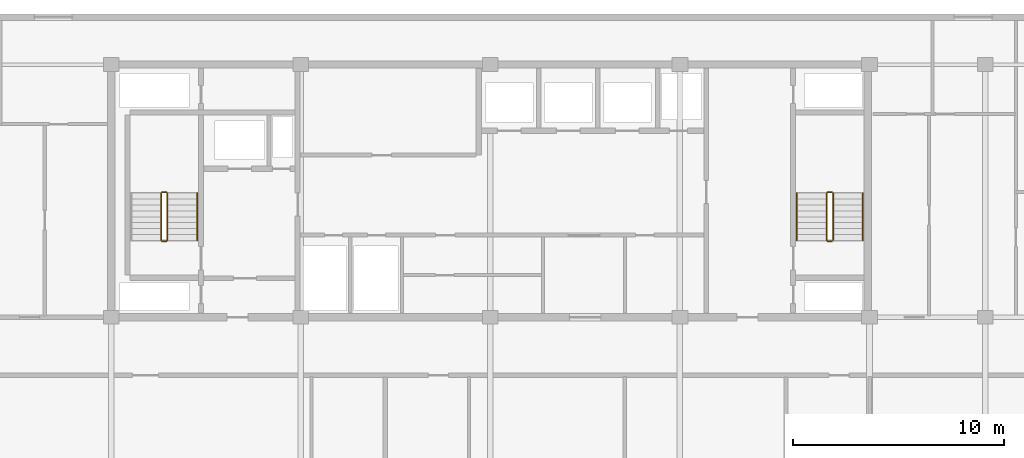
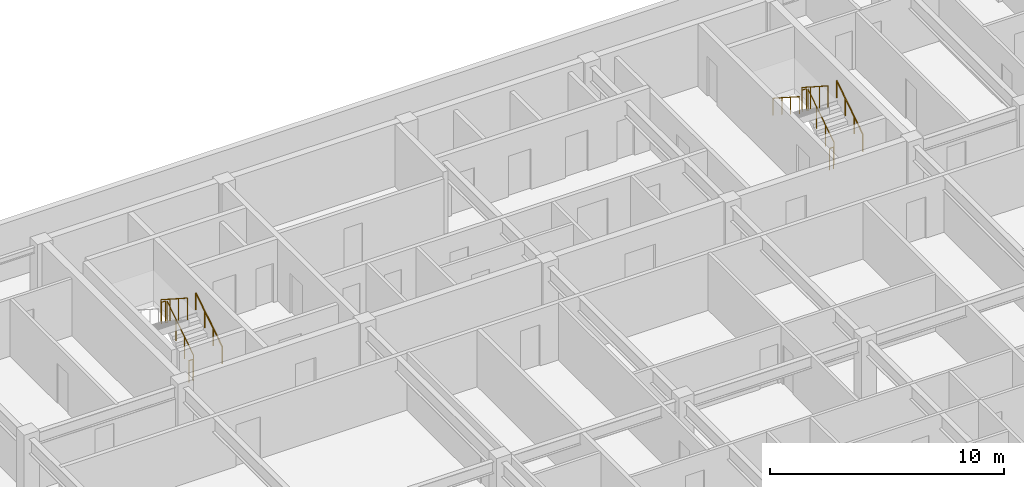
# One storey, part 27 of 30: 11 railings.
"""IFC4 building model written with IfcOpenShell, lengths in metres."""

from ifc_helpers import new_model, si_unit, direction, frame, origin, origin_2d, place, context, subcontext, project, spatial, circle, extrude, material, type_object, element, save


model = new_model("IFC4")

# Units and contexts
model_context = context("Model", 3, precision=1e-05, world=origin(), true_north=direction((0.0, 1.0)))
body_context = subcontext(model_context, "Body", "Model", "MODEL_VIEW")
ifc_project = project(units=[si_unit("LENGTHUNIT", "METRE"), si_unit("AREAUNIT", "SQUARE_METRE"), si_unit("VOLUMEUNIT", "CUBIC_METRE"), si_unit("PLANEANGLEUNIT", "RADIAN"), si_unit("MASSUNIT", "GRAM", prefix="KILO")], contexts=[model_context])

# Site, building, storey
site_placement = place(None, origin())
site = spatial("IfcSite", under=ifc_project, at=site_placement, CompositionType="ELEMENT")
building_placement = place(site_placement, origin())
building = spatial("IfcBuilding", under=site, at=building_placement, Name="Korimba Cascade Residences", CompositionType="ELEMENT")
storey_placement = place(building_placement, frame((0.0, 0.0, 201.10009765625)))
storey = spatial("IfcBuildingStorey", under=building, at=storey_placement, Name="L58", CompositionType="ELEMENT", Elevation=201.10009765625)

# Railings
ifc_material_1 = material(Name="Painted Steel Stairwell Guardrail", Category="steel")
railing_type_1 = type_object("IfcRailingType", Name="RLG-ST-GD1150", PredefinedType="GUARDRAIL", material=ifc_material_1)
railing_1_placement = place(storey_placement, frame((84.77001953125, 22.050048828125, 0.180419921875)))
element("IfcRailing", 1, at=railing_1_placement, inside=storey, type_object=railing_type_1, Name="L58 ST-E1 stair guard 1", PredefinedType="GUARDRAIL", context=body_context, shape_type="SweptSolid", body=[
    extrude(circle(Radius=0.02392578125, at=origin_2d()), frame((0.0, 0.0, 1.1259765625), z_axis=(0.0, 0.840394893359, 0.541974559565), x_axis=(-1.0, 0.0, 0.0)), (0.0, 0.0, 1.0), 2.665283203125),
    extrude(circle(Radius=0.02099609375, at=origin_2d()), origin(), (0.0, 0.0, 1.0), 1.101806640625),
    extrude(circle(Radius=0.02099609375, at=origin_2d()), frame((0.0, 0.74658203125, 0.4814453125)), (0.0, 0.0, 1.0), 1.101806640625),
    extrude(circle(Radius=0.02099609375, at=origin_2d()), frame((0.0, 1.493408203125, 0.963134765625)), (0.0, 0.0, 1.0), 1.101806640625),
    extrude(circle(Radius=0.02099609375, at=origin_2d()), frame((0.0, 2.239990234375, 1.444580078125)), (0.0, 0.0, 1.0), 1.101806640625),
])
railing_2_placement = place(storey_placement, frame((84.719970703125, 24.340087890625, 1.625)))
element("IfcRailing", 2, at=railing_2_placement, inside=storey, type_object=railing_type_1, Name="L58 ST-E1 stair guard 2", PredefinedType="GUARDRAIL", context=body_context, shape_type="SweptSolid", body=[
    extrude(circle(Radius=0.02392578125, at=origin_2d()), frame((0.0, 0.0, 1.1259765625), z_axis=(-1.0, 0.0, 0.0), x_axis=(0.0, -1.0, 0.0)), (0.0, 0.0, 1.0), 0.199951171875),
    extrude(circle(Radius=0.02099609375, at=origin_2d()), origin(), (0.0, 0.0, 1.0), 1.101806640625),
    extrude(circle(Radius=0.02099609375, at=origin_2d()), frame((-0.199951171875, 0.0, 0.0)), (0.0, 0.0, 1.0), 1.101806640625),
])
railing_3_placement = place(storey_placement, frame((84.469970703125, 24.2900390625, 1.805419921875)))
element("IfcRailing", 3, at=railing_3_placement, inside=storey, type_object=railing_type_1, Name="L58 ST-E1 stair guard 3", PredefinedType="GUARDRAIL", context=body_context, shape_type="SweptSolid", body=[
    extrude(circle(Radius=0.02392578125, at=origin_2d()), frame((0.0, 0.0, 1.1259765625), z_axis=(0.0, -0.840394893359, 0.541974559565), x_axis=(1.0, 0.0, 0.0)), (0.0, 0.0, 1.0), 2.665283203125),
    extrude(circle(Radius=0.02099609375, at=origin_2d()), origin(), (0.0, 0.0, 1.0), 1.101806640625),
    extrude(circle(Radius=0.02099609375, at=origin_2d()), frame((0.0, -0.74658203125, 0.4814453125)), (0.0, 0.0, 1.0), 1.101806640625),
    extrude(circle(Radius=0.02099609375, at=origin_2d()), frame((0.0, -1.493408203125, 0.963134765625)), (0.0, 0.0, 1.0), 1.101806640625),
    extrude(circle(Radius=0.02099609375, at=origin_2d()), frame((0.0, -2.239990234375, 1.444580078125)), (0.0, 0.0, 1.0), 1.101806640625),
])
railing_4_placement = place(storey_placement, frame((84.719970703125, 22.0, 0.0)))
element("IfcRailing", 4, at=railing_4_placement, inside=storey, type_object=railing_type_1, Name="L58 ST-E1 stair guard 4", PredefinedType="GUARDRAIL", context=body_context, shape_type="SweptSolid", body=[
    extrude(circle(Radius=0.02392578125, at=origin_2d()), frame((0.0, 0.0, 1.1259765625), z_axis=(-1.0, 0.0, 0.0), x_axis=(0.0, -1.0, 0.0)), (0.0, 0.0, 1.0), 0.199951171875),
    extrude(circle(Radius=0.02099609375, at=origin_2d()), origin(), (0.0, 0.0, 1.0), 1.101806640625),
    extrude(circle(Radius=0.02099609375, at=origin_2d()), frame((-0.199951171875, 0.0, 0.0)), (0.0, 0.0, 1.0), 1.101806640625),
])
railing_5_placement = place(storey_placement, frame((116.3701171875, 22.050048828125, 0.180419921875)))
element("IfcRailing", 5, at=railing_5_placement, inside=storey, type_object=railing_type_1, Name="L58 ST-E2 stair guard 1", PredefinedType="GUARDRAIL", context=body_context, shape_type="SweptSolid", body=[
    extrude(circle(Radius=0.02392578125, at=origin_2d()), frame((0.0, 0.0, 1.1259765625), z_axis=(0.0, 0.840394893359, 0.541974559565), x_axis=(-1.0, 0.0, 0.0)), (0.0, 0.0, 1.0), 2.665283203125),
    extrude(circle(Radius=0.02099609375, at=origin_2d()), origin(), (0.0, 0.0, 1.0), 1.101806640625),
    extrude(circle(Radius=0.02099609375, at=origin_2d()), frame((0.0, 0.74658203125, 0.4814453125)), (0.0, 0.0, 1.0), 1.101806640625),
    extrude(circle(Radius=0.02099609375, at=origin_2d()), frame((0.0, 1.493408203125, 0.963134765625)), (0.0, 0.0, 1.0), 1.101806640625),
    extrude(circle(Radius=0.02099609375, at=origin_2d()), frame((0.0, 2.239990234375, 1.444580078125)), (0.0, 0.0, 1.0), 1.101806640625),
])
railing_6_placement = place(storey_placement, frame((116.320068359375, 24.340087890625, 1.625)))
element("IfcRailing", 6, at=railing_6_placement, inside=storey, type_object=railing_type_1, Name="L58 ST-E2 stair guard 2", PredefinedType="GUARDRAIL", context=body_context, shape_type="SweptSolid", body=[
    extrude(circle(Radius=0.02392578125, at=origin_2d()), frame((0.0, 0.0, 1.1259765625), z_axis=(-1.0, 0.0, 0.0), x_axis=(0.0, -1.0, 0.0)), (0.0, 0.0, 1.0), 0.199951171875),
    extrude(circle(Radius=0.02099609375, at=origin_2d()), origin(), (0.0, 0.0, 1.0), 1.101806640625),
    extrude(circle(Radius=0.02099609375, at=origin_2d()), frame((-0.199951171875, 0.0, 0.0)), (0.0, 0.0, 1.0), 1.101806640625),
])
railing_7_placement = place(storey_placement, frame((116.070068359375, 24.2900390625, 1.805419921875)))
element("IfcRailing", 7, at=railing_7_placement, inside=storey, type_object=railing_type_1, Name="L58 ST-E2 stair guard 3", PredefinedType="GUARDRAIL", context=body_context, shape_type="SweptSolid", body=[
    extrude(circle(Radius=0.02392578125, at=origin_2d()), frame((0.0, 0.0, 1.1259765625), z_axis=(0.0, -0.840394893359, 0.541974559565), x_axis=(1.0, 0.0, 0.0)), (0.0, 0.0, 1.0), 2.665283203125),
    extrude(circle(Radius=0.02099609375, at=origin_2d()), origin(), (0.0, 0.0, 1.0), 1.101806640625),
    extrude(circle(Radius=0.02099609375, at=origin_2d()), frame((0.0, -0.74658203125, 0.4814453125)), (0.0, 0.0, 1.0), 1.101806640625),
    extrude(circle(Radius=0.02099609375, at=origin_2d()), frame((0.0, -1.493408203125, 0.963134765625)), (0.0, 0.0, 1.0), 1.101806640625),
    extrude(circle(Radius=0.02099609375, at=origin_2d()), frame((0.0, -2.239990234375, 1.444580078125)), (0.0, 0.0, 1.0), 1.101806640625),
])
railing_8_placement = place(storey_placement, frame((116.320068359375, 22.0, 0.0)))
element("IfcRailing", 8, at=railing_8_placement, inside=storey, type_object=railing_type_1, Name="L58 ST-E2 stair guard 4", PredefinedType="GUARDRAIL", context=body_context, shape_type="SweptSolid", body=[
    extrude(circle(Radius=0.02392578125, at=origin_2d()), frame((0.0, 0.0, 1.1259765625), z_axis=(-1.0, 0.0, 0.0), x_axis=(0.0, -1.0, 0.0)), (0.0, 0.0, 1.0), 0.199951171875),
    extrude(circle(Radius=0.02099609375, at=origin_2d()), origin(), (0.0, 0.0, 1.0), 1.101806640625),
    extrude(circle(Radius=0.02099609375, at=origin_2d()), frame((-0.199951171875, 0.0, 0.0)), (0.0, 0.0, 1.0), 1.101806640625),
])
ifc_material_2 = material(Name="Brushed Stainless Steel Handrail", Category="steel")
railing_type_2 = type_object("IfcRailingType", Name="RLG-ST-HR900", PredefinedType="HANDRAIL", material=ifc_material_2)
for number, where, name in (
    (9, (86.18994140625, 22.050048828125, 0.36474609375), "L58 ST-E1 stair handrail 1"),
    (10, (117.7900390625, 22.050048828125, 0.36474609375), "L58 ST-E2 stair handrail 1"),
):
    element("IfcRailing", number, at=place(storey_placement, frame(where)), inside=storey, type_object=railing_type_2, Name=name, PredefinedType="HANDRAIL", context=body_context, shape_type="SweptSolid", body=[
        extrude(circle(Radius=0.02392578125, at=origin_2d()), frame((0.0, 0.0, 0.8759765625), z_axis=(0.0, 0.840394893359, 0.541974559565), x_axis=(-1.0, 0.0, 0.0)), (0.0, 0.0, 1.0), 2.665283203125),
        extrude(circle(Radius=0.02099609375, at=origin_2d()), origin(), (0.0, 0.0, 1.0), 0.851806640625),
        extrude(circle(Radius=0.02099609375, at=origin_2d()), frame((0.0, 0.74658203125, 0.4814453125)), (0.0, 0.0, 1.0), 0.851806640625),
        extrude(circle(Radius=0.02099609375, at=origin_2d()), frame((0.0, 1.493408203125, 0.963134765625)), (0.0, 0.0, 1.0), 0.851806640625),
        extrude(circle(Radius=0.02099609375, at=origin_2d()), frame((0.0, 2.239990234375, 1.444580078125)), (0.0, 0.0, 1.0), 0.851806640625),
    ])
railing_9_placement = place(storey_placement, frame((114.64990234375, 24.2900390625, 1.98974609375)))
element("IfcRailing", 11, at=railing_9_placement, inside=storey, type_object=railing_type_2, Name="L58 ST-E2 stair handrail 2", PredefinedType="HANDRAIL", context=body_context, shape_type="SweptSolid", body=[
    extrude(circle(Radius=0.02392578125, at=origin_2d()), frame((0.0, 0.0, 0.8759765625), z_axis=(0.0, -0.840394893359, 0.541974559565), x_axis=(1.0, 0.0, 0.0)), (0.0, 0.0, 1.0), 2.665283203125),
    extrude(circle(Radius=0.02099609375, at=origin_2d()), origin(), (0.0, 0.0, 1.0), 0.851806640625),
    extrude(circle(Radius=0.02099609375, at=origin_2d()), frame((0.0, -0.74658203125, 0.4814453125)), (0.0, 0.0, 1.0), 0.851806640625),
    extrude(circle(Radius=0.02099609375, at=origin_2d()), frame((0.0, -1.493408203125, 0.963134765625)), (0.0, 0.0, 1.0), 0.851806640625),
    extrude(circle(Radius=0.02099609375, at=origin_2d()), frame((0.0, -2.239990234375, 1.444580078125)), (0.0, 0.0, 1.0), 0.851806640625),
])

save(model, "model.ifc")
